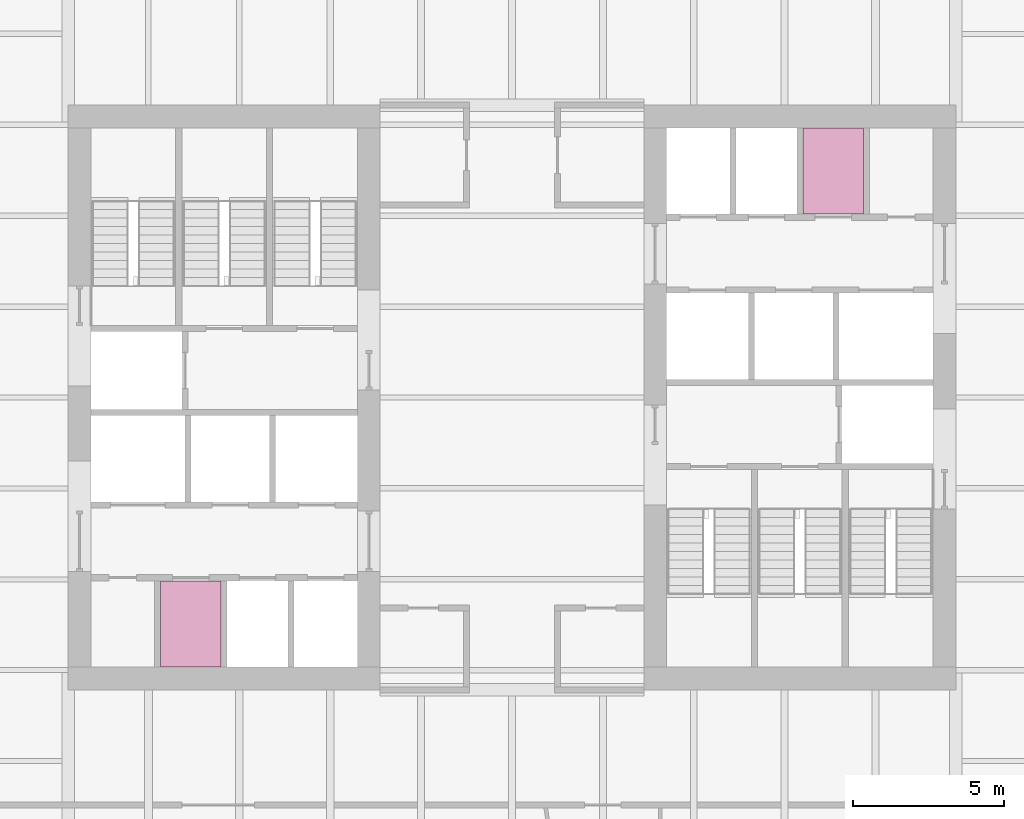
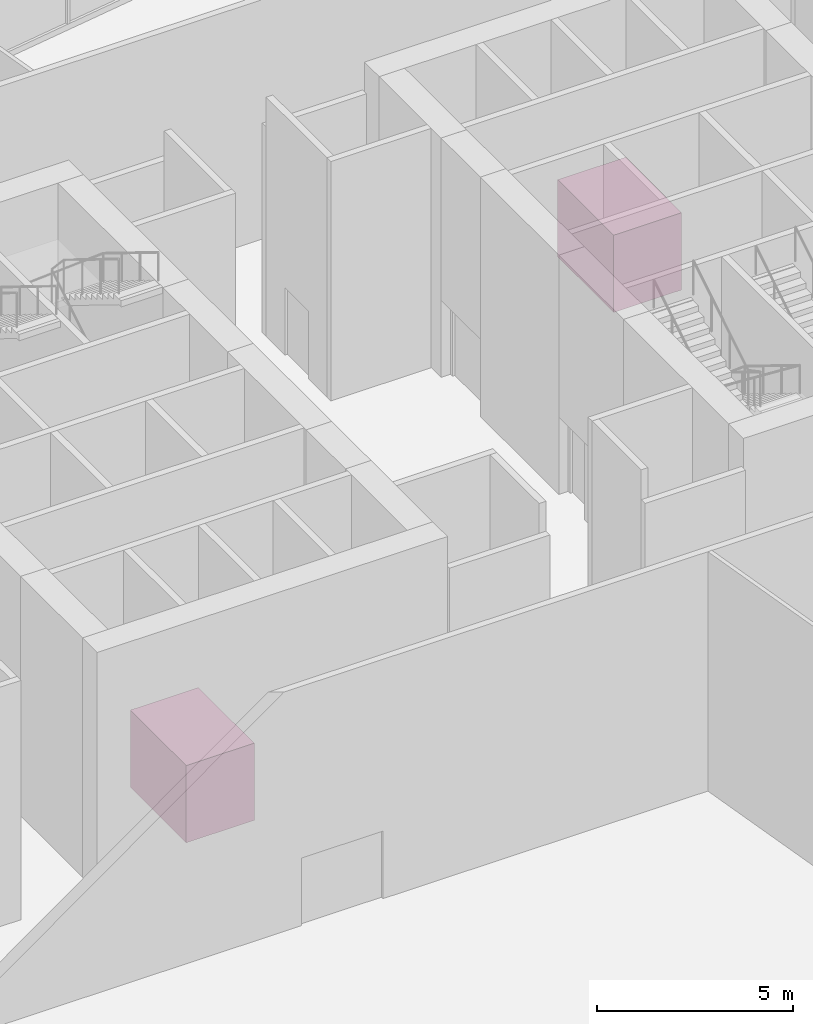
# One storey, part 18 of 19: 2 transport elements.
"""IFC4 building model written with IfcOpenShell, lengths in metres."""

from ifc_helpers import new_model, si_unit, direction, frame, origin, origin_2d, place, context, subcontext, project, spatial, rectangle, extrude, material, type_object, element, save


model = new_model("IFC4")

# Units and contexts
model_context = context("Model", 3, precision=1e-05, world=origin(), true_north=direction((0.0, 1.0)))
body_context = subcontext(model_context, "Body", "Model", "MODEL_VIEW")
ifc_project = project(units=[si_unit("LENGTHUNIT", "METRE"), si_unit("AREAUNIT", "SQUARE_METRE"), si_unit("VOLUMEUNIT", "CUBIC_METRE"), si_unit("PLANEANGLEUNIT", "RADIAN"), si_unit("MASSUNIT", "GRAM", prefix="KILO")], contexts=[model_context])

# Site, building, storey
site_placement = place(None, origin())
site = spatial("IfcSite", under=ifc_project, at=site_placement, CompositionType="ELEMENT")
building_placement = place(site_placement, origin())
building = spatial("IfcBuilding", under=site, at=building_placement, Name="Millrace Tower", CompositionType="ELEMENT")
storey_placement = place(building_placement, frame((0.0, 0.0, 172.39990234375)))
storey = spatial("IfcBuildingStorey", under=building, at=storey_placement, Name="L39", CompositionType="ELEMENT", Elevation=172.39990234375)

# Transport elements
ifc_material = material(Name="Stainless steel ASTM A240 type 316", Category="steel")
transport_element_type = type_object("IfcTransportElementType", Name="Passenger lift car 1600 x 2400", PredefinedType="ELEVATOR", material=ifc_material)
for number, where, z_axis, x_axis, name in (
    (1, (-10.60009765625, -7.47509765625, 0.000244140625), (0.0, 0.0, 1.0), (1.0, 0.0, 0.0), "Passenger lift LF2"),
    (2, (10.60009765625, 7.47509765625, 0.000244140625), (0.0, 0.0, 1.0), (1.0, 0.0, 0.0), "Passenger lift LF10"),
):
    element("IfcTransportElement", number, at=place(storey_placement, frame(where, z_axis=z_axis, x_axis=x_axis)), inside=storey, type_object=transport_element_type, Name=name, PredefinedType="ELEVATOR", context=body_context, shape_type="SweptSolid", body=[
        extrude(rectangle(XDim=2.0, YDim=2.85009765625, at=origin_2d()), origin(), (0.0, 0.0, 1.0), 2.39990234375),
    ])

save(model, "model.ifc")
